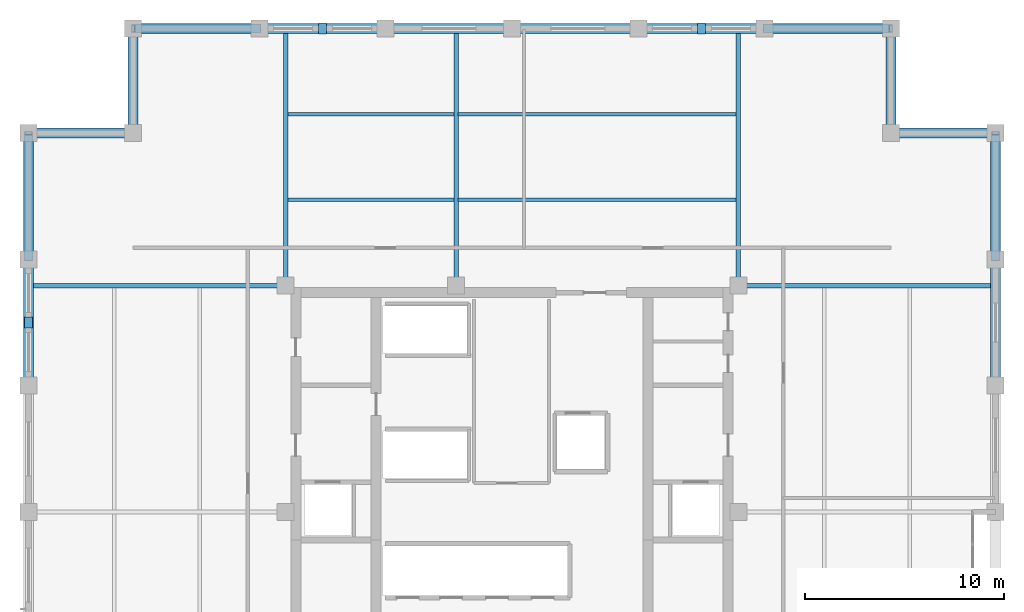
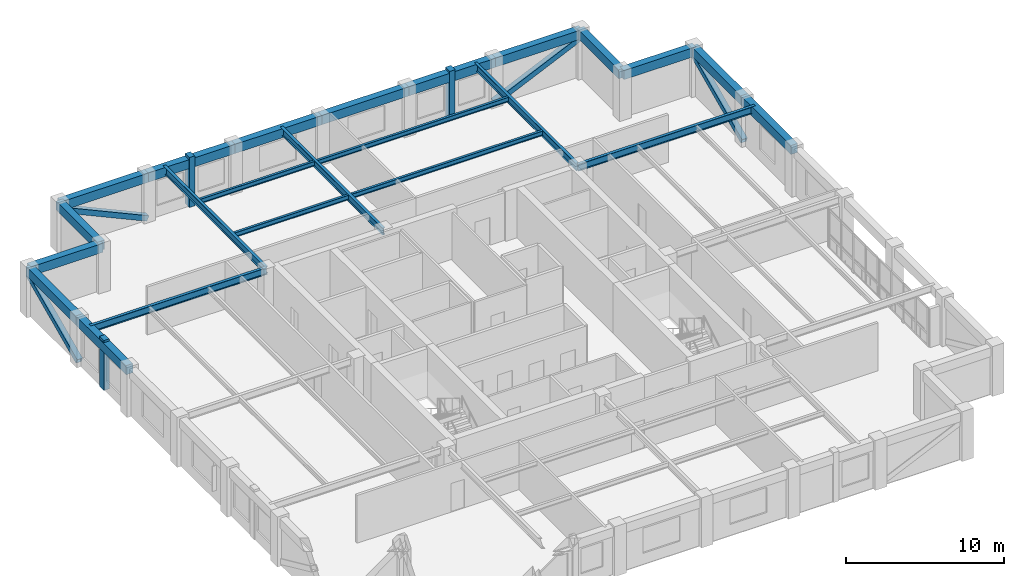
# One storey, part 3 of 10: 23 beams, 7 members.
"""IFC4 building model written with IfcOpenShell, lengths in metres."""

from ifc_helpers import new_model, si_unit, direction, frame, origin, origin_2d, place, context, subcontext, project, spatial, rectangle, hollow_rectangle, i_section, extrude, material, material_profile, profile_set, type_object, element, save


model = new_model("IFC4")

# Units and contexts
model_context = context("Model", 3, precision=1e-05, world=origin(), true_north=direction((0.0, 1.0)))
body_context = subcontext(model_context, "Body", "Model", "MODEL_VIEW")
ifc_project = project(units=[si_unit("LENGTHUNIT", "METRE"), si_unit("AREAUNIT", "SQUARE_METRE"), si_unit("VOLUMEUNIT", "CUBIC_METRE"), si_unit("PLANEANGLEUNIT", "RADIAN"), si_unit("MASSUNIT", "GRAM", prefix="KILO")], contexts=[model_context])

# Site, building, storey
site_placement = place(None, origin())
site = spatial("IfcSite", under=ifc_project, at=site_placement, CompositionType="ELEMENT")
building_placement = place(site_placement, origin())
building = spatial("IfcBuilding", under=site, at=building_placement, Name="Nhamokura Convention Tower", CompositionType="ELEMENT")
storey_placement = place(building_placement, frame((0.0, 0.0, 236.949951171875)))
storey = spatial("IfcBuildingStorey", under=building, at=storey_placement, Name="L58", CompositionType="ELEMENT", Elevation=236.949951171875)

# Members
ifc_material_1 = material(Name="Bronze-pigmented precast concrete C45/55", Category="concrete")
ifc_material_profile_1 = material_profile(ifc_material_1, rectangle(XDim=0.39990234375, YDim=0.550048828125, at=origin_2d()))
ifc_profile_set_1 = profile_set([ifc_material_profile_1], Name="Bronze-pigmented precast concrete C45/55")
member_type_1 = type_object("IfcMemberType", Name="BronzePilaster_550", PredefinedType="USERDEFINED", material=ifc_profile_set_1)
for number, where, z_axis, x_axis, name in (
    (1, (22.5, 56.25, 0.0), (0.0, 0.0, 1.0), (1.0, 0.0, 0.0), "L58 Engaged Frame Pilaster NORTH 1"),
    (2, (41.5, 56.25, 0.0), (0.0, 0.0, 1.0), (1.0, 0.0, 0.0), "L58 Engaged Frame Pilaster NORTH 4"),
    (3, (7.75, 41.5, 0.0), (0.0, 0.0, 1.0), (1.0, 0.0, 0.0), "L58 Engaged Frame Pilaster WEST 4"),
):
    element("IfcMember", number, at=place(storey_placement, frame(where, z_axis=z_axis, x_axis=x_axis)), inside=storey, type_object=member_type_1, Name=name, ObjectType="PILASTER_TRIM", PredefinedType="USERDEFINED", context=body_context, shape_type="SweptSolid", body=[
        extrude(rectangle(XDim=0.39990234375, YDim=0.550048828125, at=origin_2d()), origin(), (0.0, 0.0, 1.0), 3.85009765625),
    ])

# Beams
ifc_material_2 = material(Name="Steel ASTM A992 Gr 50", Category="steel")
ifc_material_profile_2 = material_profile(ifc_material_2, i_section(OverallWidth=0.172119140625, OverallDepth=0.35791015625, WebThickness=0.0078125, FlangeThickness=0.01318359375, at=origin_2d()))
ifc_profile_set_2 = profile_set([ifc_material_profile_2], Name="Steel ASTM A992 Gr 50")
beam_type_1 = type_object("IfcBeamType", Name="FloorJoist_W360X57", PredefinedType="JOIST", material=ifc_profile_set_2)
beam_1_placement = place(storey_placement, frame((20.75341796875, 47.64990234375, 3.506103515625), z_axis=(1.0, 0.0, 0.0), x_axis=(0.0, 1.0, 0.0)))
element("IfcBeam", 4, at=beam_1_placement, inside=storey, type_object=beam_type_1, Name="L58 Composite Floor Joist N1A", PredefinedType="JOIST", context=body_context, shape_type="SweptSolid", body=[
    extrude(i_section(OverallWidth=0.172119140625, OverallDepth=0.35791015625, WebThickness=0.0078125, FlangeThickness=0.01318359375, at=origin_2d()), origin(), (0.0, 0.0, 1.0), 8.343017578125),
])
beam_2_placement = place(storey_placement, frame((29.303466796875, 47.64990234375, 3.506103515625), z_axis=(1.0, 0.0, 0.0), x_axis=(0.0, 1.0, 0.0)))
element("IfcBeam", 5, at=beam_2_placement, inside=storey, type_object=beam_type_1, Name="L58 Composite Floor Joist N1B", PredefinedType="JOIST", context=body_context, shape_type="SweptSolid", body=[
    extrude(i_section(OverallWidth=0.172119140625, OverallDepth=0.35791015625, WebThickness=0.0078125, FlangeThickness=0.01318359375, at=origin_2d()), origin(), (0.0, 0.0, 1.0), 13.943115234375),
])
beam_3_placement = place(storey_placement, frame((20.75341796875, 51.949951171875, 3.506103515625), z_axis=(1.0, 0.0, 0.0), x_axis=(0.0, 1.0, 0.0)))
element("IfcBeam", 6, at=beam_3_placement, inside=storey, type_object=beam_type_1, Name="L58 Composite Floor Joist N2A", PredefinedType="JOIST", context=body_context, shape_type="SweptSolid", body=[
    extrude(i_section(OverallWidth=0.172119140625, OverallDepth=0.35791015625, WebThickness=0.0078125, FlangeThickness=0.01318359375, at=origin_2d()), origin(), (0.0, 0.0, 1.0), 8.343017578125),
])
beam_4_placement = place(storey_placement, frame((29.303466796875, 51.949951171875, 3.506103515625), z_axis=(1.0, 0.0, 0.0), x_axis=(0.0, 1.0, 0.0)))
element("IfcBeam", 7, at=beam_4_placement, inside=storey, type_object=beam_type_1, Name="L58 Composite Floor Joist N2B", PredefinedType="JOIST", context=body_context, shape_type="SweptSolid", body=[
    extrude(i_section(OverallWidth=0.172119140625, OverallDepth=0.35791015625, WebThickness=0.0078125, FlangeThickness=0.01318359375, at=origin_2d()), origin(), (0.0, 0.0, 1.0), 13.943115234375),
])
ifc_material_3 = material(Name="Steel ASTM A992 Gr 50", Category="steel")
ifc_material_profile_3 = material_profile(ifc_material_3, i_section(OverallWidth=0.2109375, OverallDepth=0.5390625, WebThickness=0.01171875, FlangeThickness=0.018798828125, at=origin_2d()))
ifc_profile_set_3 = profile_set([ifc_material_profile_3], Name="Steel ASTM A992 Gr 50")
beam_type_2 = type_object("IfcBeamType", Name="PrimaryGirder_W530X109", PredefinedType="BEAM", material=ifc_profile_set_3)
for number, where, z_axis, x_axis, name in (
    (8, (20.64990234375, 43.35009765625, 3.41552734375), (0.0, 1.0, 0.0), (-1.0, 0.0, 0.0), "L58 Primary Floor Girder PG-N1"),
    (9, (29.199951171875, 43.35009765625, 3.41552734375), (0.0, 1.0, 0.0), (-1.0, 0.0, 0.0), "L58 Primary Floor Girder PG-N2"),
    (10, (43.35009765625, 43.35009765625, 3.41552734375), (0.0, 1.0, 0.0), (-1.0, 0.0, 0.0), "L58 Primary Floor Girder PG-N3"),
    (11, (7.75, 43.35009765625, 3.41552734375), (1.0, 0.0, 0.0), (0.0, 1.0, 0.0), "L58 Primary Floor Girder PG-W3"),
    (12, (43.35009765625, 43.35009765625, 3.41552734375), (1.0, 0.0, 0.0), (0.0, 1.0, 0.0), "L58 Primary Floor Girder PG-E3"),
):
    element("IfcBeam", number, at=place(storey_placement, frame(where, z_axis=z_axis, x_axis=x_axis)), inside=storey, type_object=beam_type_2, Name=name, PredefinedType="BEAM", context=body_context, shape_type="SweptSolid", body=[
        extrude(i_section(OverallWidth=0.2109375, OverallDepth=0.5390625, WebThickness=0.01171875, FlangeThickness=0.018798828125, at=origin_2d()), origin(), (0.0, 0.0, 1.0), 12.89990234375),
    ])

# Members
ifc_material_4 = material(Name="Steel ASTM A572 Gr 50", Category="steel")
ifc_material_profile_4 = material_profile(ifc_material_4, hollow_rectangle(XDim=0.39990234375, YDim=0.39990234375, WallThickness=0.02001953125, at=origin_2d()))
ifc_profile_set_4 = profile_set([ifc_material_profile_4], Name="Steel ASTM A572 Gr 50")
member_type_2 = type_object("IfcMemberType", Name="TubeBrace_HSS400", PredefinedType="BRACE", material=ifc_profile_set_4)
for number, where, z_axis, x_axis, name in (
    (13, (19.333251953125, 56.25, 0.150146484375), (-0.910027379678, 0.0, 0.41454814948), (0.0, -1.0, 0.0), "L58 Perimeter Tube Brace NORTH Bay 0"),
    (14, (44.666748046875, 56.25, 0.150146484375), (0.910027379678, 0.0, 0.41454814948), (0.0, 1.0, 0.0), "L58 Perimeter Tube Brace NORTH Bay 5"),
    (15, (7.75, 44.666748046875, 0.150146484375), (0.0, 0.910027379678, 0.41454814948), (-1.0, 0.0, 0.0), "L58 Perimeter Tube Brace WEST Bay 5"),
    (16, (56.25, 44.666748046875, 0.150146484375), (0.0, 0.910027379678, 0.41454814948), (-1.0, 0.0, 0.0), "L58 Perimeter Tube Brace EAST Bay 5"),
):
    element("IfcMember", number, at=place(storey_placement, frame(where, z_axis=z_axis, x_axis=x_axis)), inside=storey, type_object=member_type_2, Name=name, PredefinedType="BRACE", context=body_context, shape_type="SweptSolid", body=[
        extrude(hollow_rectangle(XDim=0.39990234375, YDim=0.39990234375, WallThickness=0.02001953125, at=origin_2d()), origin(), (0.0, 0.0, 1.0), 6.95947265625),
    ])

# Beams
ifc_material_5 = material(Name="Concrete C50/60", Category="concrete")
ifc_material_profile_5 = material_profile(ifc_material_5, rectangle(XDim=0.5, YDim=0.699951171875, at=origin_2d()))
ifc_profile_set_5 = profile_set([ifc_material_profile_5], Name="Concrete C50/60")
beam_type_3 = type_object("IfcBeamType", Name="TubeSpandrel_700", PredefinedType="SPANDREL", material=ifc_profile_set_5)
beam_5_placement = place(storey_placement, frame((13.0, 56.25, 3.3349609375), z_axis=(1.0, 0.0, 0.0), x_axis=(0.0, 1.0, 0.0)))
element("IfcBeam", 17, at=beam_5_placement, inside=storey, type_object=beam_type_3, Name="L58 Perimeter Spandrel NORTH 1", PredefinedType="SPANDREL", context=body_context, shape_type="SweptSolid", body=[
    extrude(rectangle(XDim=0.5, YDim=0.699951171875, at=origin_2d()), origin(), (0.0, 0.0, 1.0), 6.333251953125),
])
beam_6_placement = place(storey_placement, frame((19.333251953125, 56.25, 3.3349609375), z_axis=(1.0, 0.0, 0.0), x_axis=(0.0, 1.0, 0.0)))
element("IfcBeam", 18, at=beam_6_placement, inside=storey, type_object=beam_type_3, Name="L58 Perimeter Spandrel NORTH 2", PredefinedType="SPANDREL", context=body_context, shape_type="SweptSolid", body=[
    extrude(rectangle(XDim=0.5, YDim=0.699951171875, at=origin_2d()), origin(), (0.0, 0.0, 1.0), 6.33349609375),
])
for number, where, z_axis, x_axis, name in (
    (19, (25.666748046875, 56.25, 3.3349609375), (1.0, 0.0, 0.0), (0.0, 1.0, 0.0), "L58 Perimeter Spandrel NORTH 3"),
    (20, (32.0, 56.25, 3.3349609375), (1.0, 0.0, 0.0), (0.0, 1.0, 0.0), "L58 Perimeter Spandrel NORTH 4"),
):
    element("IfcBeam", number, at=place(storey_placement, frame(where, z_axis=z_axis, x_axis=x_axis)), inside=storey, type_object=beam_type_3, Name=name, PredefinedType="SPANDREL", context=body_context, shape_type="SweptSolid", body=[
        extrude(rectangle(XDim=0.5, YDim=0.699951171875, at=origin_2d()), origin(), (0.0, 0.0, 1.0), 6.333251953125),
    ])
beam_7_placement = place(storey_placement, frame((38.333251953125, 56.25, 3.3349609375), z_axis=(1.0, 0.0, 0.0), x_axis=(0.0, 1.0, 0.0)))
element("IfcBeam", 21, at=beam_7_placement, inside=storey, type_object=beam_type_3, Name="L58 Perimeter Spandrel NORTH 5", PredefinedType="SPANDREL", context=body_context, shape_type="SweptSolid", body=[
    extrude(rectangle(XDim=0.5, YDim=0.699951171875, at=origin_2d()), origin(), (0.0, 0.0, 1.0), 6.33349609375),
])
beam_8_placement = place(storey_placement, frame((44.666748046875, 56.25, 3.3349609375), z_axis=(1.0, 0.0, 0.0), x_axis=(0.0, 1.0, 0.0)))
element("IfcBeam", 22, at=beam_8_placement, inside=storey, type_object=beam_type_3, Name="L58 Perimeter Spandrel NORTH 6", PredefinedType="SPANDREL", context=body_context, shape_type="SweptSolid", body=[
    extrude(rectangle(XDim=0.5, YDim=0.699951171875, at=origin_2d()), origin(), (0.0, 0.0, 1.0), 6.333251953125),
])
beam_9_placement = place(storey_placement, frame((7.75, 38.333251953125, 3.3349609375), z_axis=(0.0, 1.0, 0.0), x_axis=(-1.0, 0.0, 0.0)))
element("IfcBeam", 23, at=beam_9_placement, inside=storey, type_object=beam_type_3, Name="L58 Perimeter Spandrel WEST 5", PredefinedType="SPANDREL", context=body_context, shape_type="SweptSolid", body=[
    extrude(rectangle(XDim=0.5, YDim=0.699951171875, at=origin_2d()), origin(), (0.0, 0.0, 1.0), 6.33349609375),
])
beam_10_placement = place(storey_placement, frame((7.75, 44.666748046875, 3.3349609375), z_axis=(0.0, 1.0, 0.0), x_axis=(-1.0, 0.0, 0.0)))
element("IfcBeam", 24, at=beam_10_placement, inside=storey, type_object=beam_type_3, Name="L58 Perimeter Spandrel WEST 6", PredefinedType="SPANDREL", context=body_context, shape_type="SweptSolid", body=[
    extrude(rectangle(XDim=0.5, YDim=0.699951171875, at=origin_2d()), origin(), (0.0, 0.0, 1.0), 6.333251953125),
])
beam_11_placement = place(storey_placement, frame((56.25, 38.333251953125, 3.3349609375), z_axis=(0.0, 1.0, 0.0), x_axis=(-1.0, 0.0, 0.0)))
element("IfcBeam", 25, at=beam_11_placement, inside=storey, type_object=beam_type_3, Name="L58 Perimeter Spandrel EAST 5", PredefinedType="SPANDREL", context=body_context, shape_type="SweptSolid", body=[
    extrude(rectangle(XDim=0.5, YDim=0.699951171875, at=origin_2d()), origin(), (0.0, 0.0, 1.0), 6.33349609375),
])
beam_12_placement = place(storey_placement, frame((56.25, 44.666748046875, 3.3349609375), z_axis=(0.0, 1.0, 0.0), x_axis=(-1.0, 0.0, 0.0)))
element("IfcBeam", 26, at=beam_12_placement, inside=storey, type_object=beam_type_3, Name="L58 Perimeter Spandrel EAST 6", PredefinedType="SPANDREL", context=body_context, shape_type="SweptSolid", body=[
    extrude(rectangle(XDim=0.5, YDim=0.699951171875, at=origin_2d()), origin(), (0.0, 0.0, 1.0), 6.333251953125),
])
for number, where, z_axis, x_axis, name in (
    (27, (56.25, 51.0, 3.3349609375), (-1.0, 0.0, 0.0), (0.0, -1.0, 0.0), "L58 Notch Spandrel NE1"),
    (28, (51.0, 51.0, 3.3349609375), (0.0, 1.0, 0.0), (-1.0, 0.0, 0.0), "L58 Notch Spandrel NE2"),
    (29, (13.0, 56.25, 3.3349609375), (0.0, -1.0, 0.0), (1.0, 0.0, 0.0), "L58 Notch Spandrel NW1"),
    (30, (13.0, 51.0, 3.3349609375), (-1.0, 0.0, 0.0), (0.0, -1.0, 0.0), "L58 Notch Spandrel NW2"),
):
    element("IfcBeam", number, at=place(storey_placement, frame(where, z_axis=z_axis, x_axis=x_axis)), inside=storey, type_object=beam_type_3, Name=name, PredefinedType="SPANDREL", context=body_context, shape_type="SweptSolid", body=[
        extrude(rectangle(XDim=0.5, YDim=0.699951171875, at=origin_2d()), origin(), (0.0, 0.0, 1.0), 5.25),
    ])

save(model, "model.ifc")
